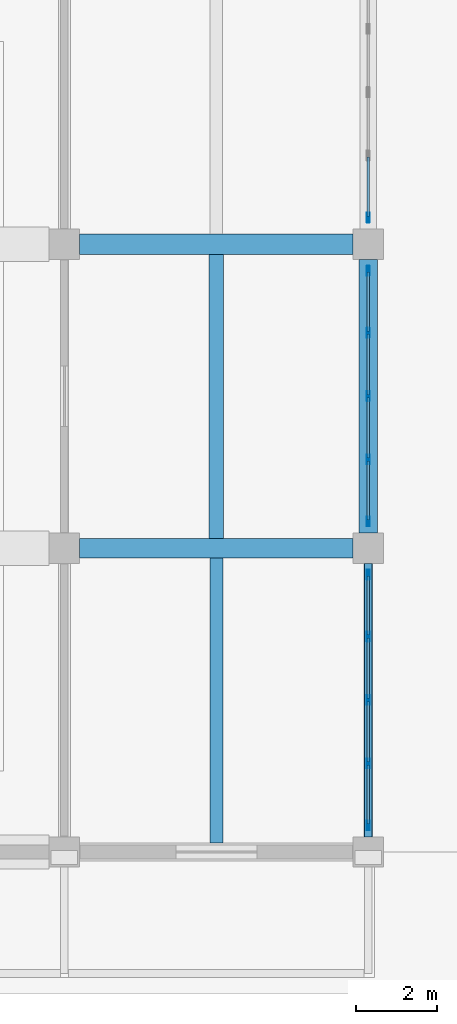
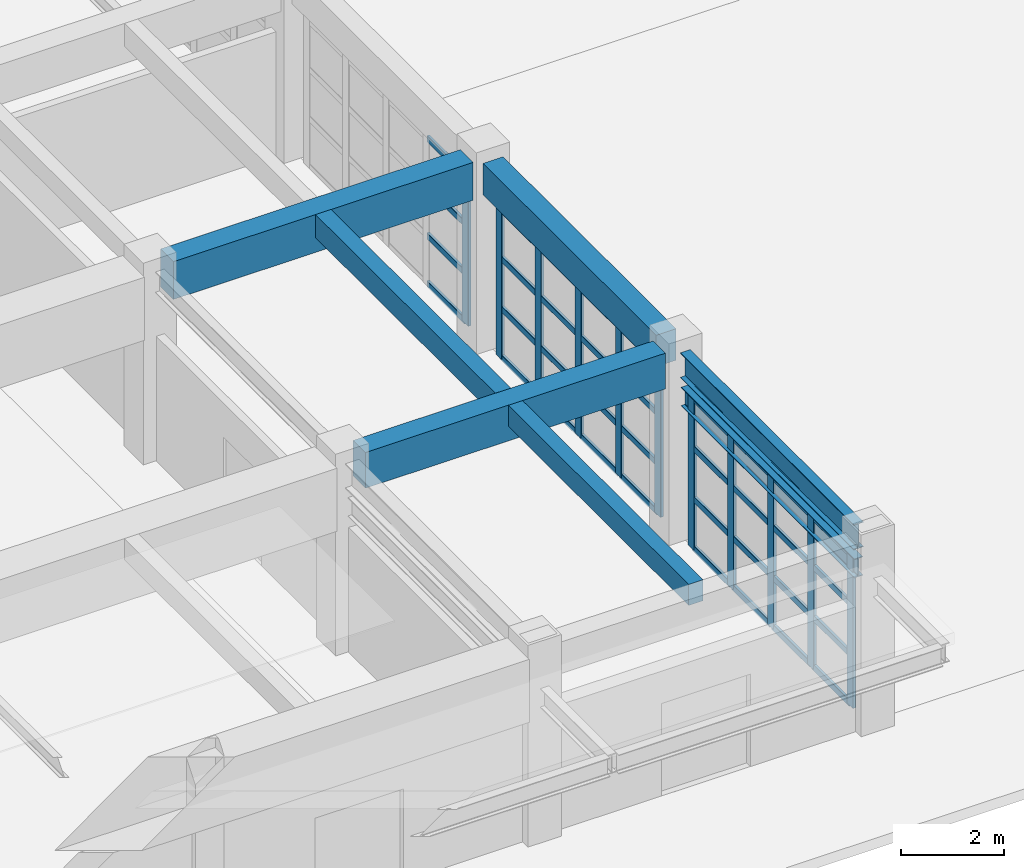
# One storey, part 8 of 122: 47 members, 7 beams, 3 elements without a shape of their own.
"""IFC4 building model written with IfcOpenShell, lengths in metres."""

import ifcopenshell
import ifcopenshell.guid

model = None  # the IFC model being written
_history = None  # IfcOwnerHistory: only IFC2X3 demands one
_inside = {}  # id of a spatial element -> (the spatial element, [elements in it])
_under = {}  # id of a project, library or spatial element -> (it, [spatial elements below it])
_declared = {}  # id of a project -> (the project, [libraries it declares])
_typed = {}  # id of a type object -> (the type object, [elements of that type])
_made_of = {}  # id of a material, layer set ... -> (it, [elements and type objects made of it])


def new_model(schema):
    """Start an empty IFC model of exactly this schema.

    Asked for "IFC4X3", IfcOpenShell would pick the latest addendum, in which some entities
    have other attributes; the version numbers below select the first issue.
    IFC2X3 requires an IfcOwnerHistory on every rooted entity: one is made here for all.
    """
    global model, _history
    if schema == "IFC4X3":
        model = ifcopenshell.file(schema_version=(4, 3, 0, 0))
    else:
        model = ifcopenshell.file(schema=schema)
    _inside.clear()
    _under.clear()
    _declared.clear()
    _typed.clear()
    _made_of.clear()
    _history = None
    if model.schema == "IFC2X3":
        org = make("IfcOrganization", Name="unknown")
        user = make(
            "IfcPersonAndOrganization",
            ThePerson=make("IfcPerson", FamilyName="unknown"),
            TheOrganization=org,
        )
        app = make(
            "IfcApplication",
            ApplicationDeveloper=org,
            Version="unknown",
            ApplicationFullName="unknown",
            ApplicationIdentifier="unknown",
        )
        _history = make(
            "IfcOwnerHistory",
            OwningUser=user,
            OwningApplication=app,
            ChangeAction="ADDED",
            CreationDate=0,
        )
    return model


def make(cls, **values):
    """One entity of the class cls with the attributes given. An attribute that is None is left unset."""
    return model.create_entity(
        cls, **{name: value for name, value in values.items() if value is not None}
    )


def rooted(cls, **values):
    """An entity with a GlobalId (a new one), such as an element, a storey or a relation."""
    return make(cls, GlobalId=ifcopenshell.guid.new(), OwnerHistory=_history, **values)


def si_unit(unit_type, name, prefix=None):
    """IfcSIUnit, for example si_unit("LENGTHUNIT", "METRE", prefix="MILLI")."""
    return make("IfcSIUnit", UnitType=unit_type, Prefix=prefix, Name=name)


def assignment(units):
    """IfcUnitAssignment: the units of a project."""
    return None if units is None else make("IfcUnitAssignment", Units=units)


def point(xyz):
    """IfcCartesianPoint."""
    return None if xyz is None else make("IfcCartesianPoint", Coordinates=xyz)


def direction(xyz):
    """IfcDirection."""
    return None if xyz is None else make("IfcDirection", DirectionRatios=xyz)


def frame(location, z_axis=None, x_axis=None):
    """IfcAxis2Placement3D, a coordinate frame: its origin and axes. An axis left out is left unset."""
    return make(
        "IfcAxis2Placement3D",
        Location=point(location),
        Axis=direction(z_axis),
        RefDirection=direction(x_axis),
    )


def frame_2d(location, x_axis=None):
    """IfcAxis2Placement2D, a coordinate frame in the plane: its origin and x axis."""
    return make(
        "IfcAxis2Placement2D", Location=point(location), RefDirection=direction(x_axis)
    )


def origin():
    """The frame at (0, 0, 0) with its axes left unset."""
    return frame((0.0, 0.0, 0.0))


def origin_2d():
    """The frame at (0, 0) in the plane with its x axis left unset."""
    return frame_2d((0.0, 0.0))


def place(relative_to, where):
    """IfcLocalPlacement: puts the frame where relative to a parent placement (None: the world)."""
    return make(
        "IfcLocalPlacement", PlacementRelTo=relative_to, RelativePlacement=where
    )


def context(
    kind, dimensions, precision=None, world=None, true_north=None, identifier=None
):
    """IfcGeometricRepresentationContext, for example the 3D "Model" context."""
    return make(
        "IfcGeometricRepresentationContext",
        ContextIdentifier=identifier,
        ContextType=kind,
        CoordinateSpaceDimension=dimensions,
        Precision=precision,
        WorldCoordinateSystem=world,
        TrueNorth=true_north,
    )


def subcontext(parent, identifier, kind, view, scale=None):
    """IfcGeometricRepresentationSubContext, for example "Body" below "Model"."""
    return make(
        "IfcGeometricRepresentationSubContext",
        ContextIdentifier=identifier,
        ContextType=kind,
        ParentContext=parent,
        TargetScale=scale,
        TargetView=view,
    )


def project(units=None, contexts=None):
    """IfcProject with its units and contexts."""
    return rooted(
        "IfcProject",
        Name="project",
        RepresentationContexts=contexts,
        UnitsInContext=assignment(units),
    )


def spatial(cls, under=None, at=None, **own):
    """A site, building, storey or space (cls), placed at a placement, below another one or the project."""
    s = rooted(cls, ObjectPlacement=at, **own)
    if under is not None:
        _under.setdefault(under.id(), (under, []))[1].append(s)
    return s


def profile(cls, at=None, kind="AREA", **sizes):
    """A parametric profile (cls). Its sizes go by their IFC names, for example OverallWidth=200.0."""
    return make(cls, ProfileType=kind, Position=at, **sizes)


def rectangle(**sizes):
    """IfcRectangleProfileDef."""
    return profile("IfcRectangleProfileDef", **sizes)


def hollow_rectangle(**sizes):
    """IfcRectangleHollowProfileDef."""
    return profile("IfcRectangleHollowProfileDef", **sizes)


def i_section(**sizes):
    """IfcIShapeProfileDef."""
    return profile("IfcIShapeProfileDef", **sizes)


def extrude(swept, where, along, depth):
    """IfcExtrudedAreaSolid: the profile swept, set in the frame where, extruded along a direction by depth."""
    return make(
        "IfcExtrudedAreaSolid",
        SweptArea=swept,
        Position=where,
        ExtrudedDirection=direction(along),
        Depth=depth,
    )


def shape(context_of_items, identifier, shape_type, items):
    """IfcShapeRepresentation: the items that make up one representation, for example the "Body"."""
    return make(
        "IfcShapeRepresentation",
        ContextOfItems=context_of_items,
        RepresentationIdentifier=identifier,
        RepresentationType=shape_type,
        Items=items,
    )


def material(Name=None, Category=None):
    """IfcMaterial."""
    return make("IfcMaterial", Name=Name, Category=Category)


def material_profile(
    of_material, cross_section, Name=None, Category=None, Priority=None
):
    """IfcMaterialProfile: a cross section and its material."""
    return make(
        "IfcMaterialProfile",
        Name=Name,
        Material=of_material,
        Profile=cross_section,
        Priority=Priority,
        Category=Category,
    )


def profile_set(profiles, Name=None, composite=None):
    """IfcMaterialProfileSet."""
    return make(
        "IfcMaterialProfileSet",
        Name=Name,
        MaterialProfiles=profiles,
        CompositeProfile=composite,
    )


def made_of(thing, what):
    """Note that an element or type object is made of a material, layer set ...; save() writes the relation."""
    if what is not None:
        _made_of.setdefault(what.id(), (what, []))[1].append(thing)
    return thing


def type_object(cls, material=None, **own):
    """A type object (cls), such as IfcWallType, which elements share."""
    return made_of(rooted(cls, **own), material)


def element(
    cls,
    number,
    at=None,
    inside=None,
    cuts=None,
    type_object=None,
    material=None,
    context=None,
    identifier="Body",
    shape_type=None,
    held_by="IfcProductDefinitionShape",
    body=None,
    shapes=None,
    **own,
):
    """One element of the class cls, such as IfcWall. Its Tag is "e" and its number.

    at: its placement. inside: the storey or other place that contains it. cuts: it is an
    opening in that element (IfcRelVoidsElement). A single representation is given by context,
    identifier, shape_type and body (its items); several are given by shapes. held_by: the class
    of the entity that holds the representations. save() writes the other relations.
    """
    e = rooted(cls, Tag="e%d" % number, ObjectPlacement=at, **own)
    if body is not None:
        shapes = [shape(context, identifier, shape_type, body)]
    if shapes is not None:
        e.Representation = make(held_by, Representations=shapes)
    if inside is not None:
        _inside.setdefault(inside.id(), (inside, []))[1].append(e)
    if cuts is not None:
        rooted(
            "IfcRelVoidsElement", RelatingBuildingElement=cuts, RelatedOpeningElement=e
        )
    if type_object is not None:
        _typed.setdefault(type_object.id(), (type_object, []))[1].append(e)
    return made_of(e, material)


def aggregate(whole, parts):
    """IfcRelAggregates: a whole, such as a stair, and the parts it consists of."""
    return rooted("IfcRelAggregates", RelatingObject=whole, RelatedObjects=parts)


def save(model, path):
    """Write the relations noted so far, then the file.

    IfcRelAggregates (storeys below a building ...), IfcRelContainedInSpatialStructure (elements
    in a storey), IfcRelDefinesByType, IfcRelAssociatesMaterial and IfcRelDeclares: one each for
    every whole, place, type object, material and project.
    """
    for whole, parts in _under.values():
        aggregate(whole, parts)
    for where, things in _inside.values():
        rooted(
            "IfcRelContainedInSpatialStructure",
            RelatedElements=things,
            RelatingStructure=where,
        )
    for kind, things in _typed.values():
        rooted("IfcRelDefinesByType", RelatedObjects=things, RelatingType=kind)
    for what, things in _made_of.values():
        rooted("IfcRelAssociatesMaterial", RelatedObjects=things, RelatingMaterial=what)
    for by, libraries in _declared.values():
        rooted("IfcRelDeclares", RelatingContext=by, RelatedDefinitions=libraries)
    model.write(path)


model = new_model("IFC4")

# Units and contexts
model_context = context("Model", 3, precision=1e-05, world=origin(), true_north=direction((0.0, 1.0)))
body_context = subcontext(model_context, "Body", "Model", "MODEL_VIEW")
ifc_project = project(units=[si_unit("LENGTHUNIT", "METRE"), si_unit("AREAUNIT", "SQUARE_METRE"), si_unit("VOLUMEUNIT", "CUBIC_METRE"), si_unit("PLANEANGLEUNIT", "RADIAN"), si_unit("MASSUNIT", "GRAM", prefix="KILO")], contexts=[model_context])

# Site, building, storey
site_placement = place(None, origin())
site = spatial("IfcSite", under=ifc_project, at=site_placement, CompositionType="ELEMENT")
building_placement = place(site_placement, origin())
building = spatial("IfcBuilding", under=site, at=building_placement, Name="Qasida Concert Hall", CompositionType="ELEMENT")
storey_placement = place(building_placement, origin())
storey = spatial("IfcBuildingStorey", under=building, at=storey_placement, Name="L00", CompositionType="ELEMENT", Elevation=0.0)

# Beams
ifc_material_1 = material(Name="Steel S355J2", Category="steel")
ifc_material_profile_1 = material_profile(ifc_material_1, i_section(OverallWidth=0.18994140625, OverallDepth=0.449951171875, WebThickness=0.009521484375, FlangeThickness=0.0146484375, FilletRadius=0.02099609375, at=origin_2d()), Name="IPE 450")
ifc_profile_set_1 = profile_set([ifc_material_profile_1], Name="Steel S355J2")
beam_type_1 = type_object("IfcBeamType", Name="BM-B5", PredefinedType="BEAM", material=ifc_profile_set_1)
beam_1_placement = place(storey_placement, frame((37.5, 0.375, 3.449951171875), z_axis=(0.0, 1.0, 0.0), x_axis=(-1.0, 0.0, 0.0)))
element("IfcBeam", 1, at=beam_1_placement, inside=storey, type_object=beam_type_1, Name="Grand foyer marquee backspan beam MRQB-V3-375", PredefinedType="BEAM", context=body_context, shape_type="SweptSolid", body=[
    extrude(i_section(OverallWidth=0.18994140625, OverallDepth=0.449951171875, WebThickness=0.009521484375, FlangeThickness=0.0146484375, FilletRadius=0.02099609375, at=origin_2d()), origin(), (0.0, 0.0, 1.0), 6.75),
])
ifc_material_2 = material(Name="Concrete C40/50", Category="concrete")
ifc_material_profile_2 = material_profile(ifc_material_2, rectangle(XDim=0.5, YDim=0.89990234375, at=origin_2d()), Name="RC 500x900")
ifc_profile_set_2 = profile_set([ifc_material_profile_2], Name="Concrete C40/50")
beam_type_2 = type_object("IfcBeamType", Name="BM-G1", PredefinedType="USERDEFINED", material=ifc_profile_set_2)
beam_2_placement = place(storey_placement, frame((30.375, 15.0, 4.050048828125), z_axis=(1.0, 0.0, 0.0), x_axis=(0.0, 1.0, 0.0)))
element("IfcBeam", 2, at=beam_2_placement, inside=storey, type_object=beam_type_2, Name="Primary girder 0516", ObjectType="GIRDER", PredefinedType="USERDEFINED", context=body_context, shape_type="SweptSolid", body=[
    extrude(rectangle(XDim=0.5, YDim=0.89990234375, at=origin_2d()), origin(), (0.0, 0.0, 1.0), 6.75),
])
ifc_material_profile_3 = material_profile(ifc_material_2, rectangle(XDim=0.47998046875, YDim=0.85009765625, at=origin_2d()), Name="RC 480x850")
ifc_profile_set_3 = profile_set([ifc_material_profile_3], Name="Concrete C40/50")
beam_type_3 = type_object("IfcBeamType", Name="BM-G6", PredefinedType="USERDEFINED", material=ifc_profile_set_3)
beam_3_placement = place(storey_placement, frame((30.375, 7.5, 4.074951171875), z_axis=(1.0, 0.0, 0.0), x_axis=(0.0, 1.0, 0.0)))
element("IfcBeam", 3, at=beam_3_placement, inside=storey, type_object=beam_type_3, Name="Primary girder 0513", ObjectType="GIRDER", PredefinedType="USERDEFINED", context=body_context, shape_type="SweptSolid", body=[
    extrude(rectangle(XDim=0.47998046875, YDim=0.85009765625, at=origin_2d()), origin(), (0.0, 0.0, 1.0), 6.75),
])
ifc_material_profile_4 = material_profile(ifc_material_2, rectangle(XDim=0.320068359375, YDim=0.5, at=origin_2d()), Name="RC 320x500")
ifc_profile_set_4 = profile_set([ifc_material_profile_4], Name="Concrete C40/50")
beam_type_4 = type_object("IfcBeamType", Name="BM-J7", PredefinedType="JOIST", material=ifc_profile_set_4)
beam_4_placement = place(storey_placement, frame((33.75, 0.22509765625, 4.25), z_axis=(0.0, 1.0, 0.0), x_axis=(-1.0, 0.0, 0.0)))
element("IfcBeam", 4, at=beam_4_placement, inside=storey, type_object=beam_type_4, Name="L00 secondary joist 0582", PredefinedType="JOIST", context=body_context, shape_type="SweptSolid", body=[
    extrude(rectangle(XDim=0.320068359375, YDim=0.5, at=origin_2d()), origin(), (0.0, 0.0, 1.0), 7.034912109375),
])
ifc_material_profile_5 = material_profile(ifc_material_2, rectangle(XDim=0.35009765625, YDim=0.550048828125, at=origin_2d()), Name="RC 350x550")
ifc_profile_set_5 = profile_set([ifc_material_profile_5], Name="Concrete C40/50")
beam_type_5 = type_object("IfcBeamType", Name="BM-J8", PredefinedType="JOIST", material=ifc_profile_set_5)
beam_5_placement = place(storey_placement, frame((33.75, 7.739990234375, 4.22509765625), z_axis=(0.0, 1.0, 0.0), x_axis=(-1.0, 0.0, 0.0)))
element("IfcBeam", 5, at=beam_5_placement, inside=storey, type_object=beam_type_5, Name="L00 secondary joist 0583", PredefinedType="JOIST", context=body_context, shape_type="SweptSolid", body=[
    extrude(rectangle(XDim=0.35009765625, YDim=0.550048828125, at=origin_2d()), origin(), (0.0, 0.0, 1.0), 7.010009765625),
])
ifc_material_profile_6 = material_profile(ifc_material_1, i_section(OverallWidth=0.219970703125, OverallDepth=0.60009765625, WebThickness=0.011962890625, FlangeThickness=0.01904296875, FilletRadius=0.02392578125, at=origin_2d()), Name="IPE 600")
ifc_profile_set_6 = profile_set([ifc_material_profile_6], Name="Steel S355J2")
beam_type_6 = type_object("IfcBeamType", Name="BM-SP3", PredefinedType="SPANDREL", material=ifc_profile_set_6)
beam_6_placement = place(storey_placement, frame((37.5, 0.375, 4.199951171875), z_axis=(0.0, 1.0, 0.0), x_axis=(-1.0, 0.0, 0.0)))
element("IfcBeam", 6, at=beam_6_placement, inside=storey, type_object=beam_type_6, Name="L00 girder 0553", PredefinedType="SPANDREL", context=body_context, shape_type="SweptSolid", body=[
    extrude(i_section(OverallWidth=0.219970703125, OverallDepth=0.60009765625, WebThickness=0.011962890625, FlangeThickness=0.01904296875, FilletRadius=0.02392578125, at=origin_2d()), origin(), (0.0, 0.0, 1.0), 6.75),
])
ifc_material_profile_7 = material_profile(ifc_material_2, rectangle(XDim=0.449951171875, YDim=0.75, at=origin_2d()), Name="RC 450x750")
ifc_profile_set_7 = profile_set([ifc_material_profile_7], Name="Concrete C40/50")
beam_type_7 = type_object("IfcBeamType", Name="BM-SP4", PredefinedType="SPANDREL", material=ifc_profile_set_7)
beam_7_placement = place(storey_placement, frame((37.5, 7.875, 4.125), z_axis=(0.0, 1.0, 0.0), x_axis=(-1.0, 0.0, 0.0)))
element("IfcBeam", 7, at=beam_7_placement, inside=storey, type_object=beam_type_7, Name="L00 girder 0554", PredefinedType="SPANDREL", context=body_context, shape_type="SweptSolid", body=[
    extrude(rectangle(XDim=0.449951171875, YDim=0.75, at=origin_2d()), origin(), (0.0, 0.0, 1.0), 6.75),
])

# Curtain wall, members
ifc_material_3 = material(Name="Architectural bronze-anodized aluminium and low-E glass", Category="aluminium")
curtain_wall_type = type_object("IfcCurtainWallType", Name="CW-06", PredefinedType="NOTDEFINED", material=ifc_material_3)
curtain_wall_1_placement = place(storey_placement, origin())
curtain_wall_1 = element("IfcCurtainWall", 8, at=curtain_wall_1_placement, inside=storey, type_object=curtain_wall_type, Name="L00 curtain wall CW-06 0073", PredefinedType="NOTDEFINED")
ifc_material_4 = material(Name="Architectural bronze-anodized aluminium EN AW-6063", Category="aluminium")
ifc_material_profile_8 = material_profile(ifc_material_4, hollow_rectangle(XDim=0.070068359375, YDim=0.239990234375, WallThickness=0.0048828125, InnerFilletRadius=0.0048828125, OuterFilletRadius=0.010009765625, at=origin_2d()), Name="CWM 240x70x5")
ifc_profile_set_8 = profile_set([ifc_material_profile_8], Name="Architectural bronze-anodized aluminium EN AW-6063")
member_type_1 = type_object("IfcMemberType", Name="MB-CWM-1", PredefinedType="MULLION", material=ifc_profile_set_8)
member_1_placement = place(storey_placement, frame((37.5, 0.655029296875, 0.0), z_axis=(0.0, 0.0, 1.0), x_axis=(-1.0, 0.0, 0.0)))
member_1 = element("IfcMember", 9, at=member_1_placement, type_object=member_type_1, Name="CW-06 mullion 1", PredefinedType="MULLION", context=body_context, shape_type="SweptSolid", body=[
    extrude(hollow_rectangle(XDim=0.070068359375, YDim=0.239990234375, WallThickness=0.0048828125, InnerFilletRadius=0.0048828125, OuterFilletRadius=0.010009765625, at=origin_2d()), origin(), (0.0, 0.0, 1.0), 3.6201171875),
])
member_2_placement = place(storey_placement, frame((37.5, 2.18505859375, 0.0), z_axis=(0.0, 0.0, 1.0), x_axis=(-1.0, 0.0, 0.0)))
member_2 = element("IfcMember", 10, at=member_2_placement, type_object=member_type_1, Name="CW-06 mullion 2", PredefinedType="MULLION", context=body_context, shape_type="SweptSolid", body=[
    extrude(hollow_rectangle(XDim=0.070068359375, YDim=0.239990234375, WallThickness=0.0048828125, InnerFilletRadius=0.0048828125, OuterFilletRadius=0.010009765625, at=origin_2d()), origin(), (0.0, 0.0, 1.0), 3.6201171875),
])
member_3_placement = place(storey_placement, frame((37.5, 3.75, 0.0), z_axis=(0.0, 0.0, 1.0), x_axis=(-1.0, 0.0, 0.0)))
member_3 = element("IfcMember", 11, at=member_3_placement, type_object=member_type_1, Name="CW-06 mullion 3", PredefinedType="MULLION", context=body_context, shape_type="SweptSolid", body=[
    extrude(hollow_rectangle(XDim=0.070068359375, YDim=0.239990234375, WallThickness=0.0048828125, InnerFilletRadius=0.0048828125, OuterFilletRadius=0.010009765625, at=origin_2d()), origin(), (0.0, 0.0, 1.0), 3.6201171875),
])
member_4_placement = place(storey_placement, frame((37.5, 5.31494140625, 0.0), z_axis=(0.0, 0.0, 1.0), x_axis=(-1.0, 0.0, 0.0)))
member_4 = element("IfcMember", 12, at=member_4_placement, type_object=member_type_1, Name="CW-06 mullion 4", PredefinedType="MULLION", context=body_context, shape_type="SweptSolid", body=[
    extrude(hollow_rectangle(XDim=0.070068359375, YDim=0.239990234375, WallThickness=0.0048828125, InnerFilletRadius=0.0048828125, OuterFilletRadius=0.010009765625, at=origin_2d()), origin(), (0.0, 0.0, 1.0), 3.6201171875),
])
member_5_placement = place(storey_placement, frame((37.5, 6.844970703125, 0.0), z_axis=(0.0, 0.0, 1.0), x_axis=(-1.0, 0.0, 0.0)))
member_5 = element("IfcMember", 13, at=member_5_placement, type_object=member_type_1, Name="CW-06 mullion 5", PredefinedType="MULLION", context=body_context, shape_type="SweptSolid", body=[
    extrude(hollow_rectangle(XDim=0.070068359375, YDim=0.239990234375, WallThickness=0.0048828125, InnerFilletRadius=0.0048828125, OuterFilletRadius=0.010009765625, at=origin_2d()), origin(), (0.0, 0.0, 1.0), 3.6201171875),
])

curtain_wall_2_placement = place(storey_placement, origin())
curtain_wall_2 = element("IfcCurtainWall", 14, at=curtain_wall_2_placement, inside=storey, type_object=curtain_wall_type, Name="L00 curtain wall CW-06 0075", PredefinedType="NOTDEFINED")
member_6_placement = place(storey_placement, frame((37.5, 8.155029296875, 0.0), z_axis=(0.0, 0.0, 1.0), x_axis=(-1.0, 0.0, 0.0)))
member_6 = element("IfcMember", 15, at=member_6_placement, type_object=member_type_1, Name="CW-06 mullion 1", PredefinedType="MULLION", context=body_context, shape_type="SweptSolid", body=[
    extrude(hollow_rectangle(XDim=0.070068359375, YDim=0.239990234375, WallThickness=0.0048828125, InnerFilletRadius=0.0048828125, OuterFilletRadius=0.010009765625, at=origin_2d()), origin(), (0.0, 0.0, 1.0), 3.570068359375),
])
member_7_placement = place(storey_placement, frame((37.5, 9.68505859375, 0.0), z_axis=(0.0, 0.0, 1.0), x_axis=(-1.0, 0.0, 0.0)))
member_7 = element("IfcMember", 16, at=member_7_placement, type_object=member_type_1, Name="CW-06 mullion 2", PredefinedType="MULLION", context=body_context, shape_type="SweptSolid", body=[
    extrude(hollow_rectangle(XDim=0.070068359375, YDim=0.239990234375, WallThickness=0.0048828125, InnerFilletRadius=0.0048828125, OuterFilletRadius=0.010009765625, at=origin_2d()), origin(), (0.0, 0.0, 1.0), 3.570068359375),
])
member_8_placement = place(storey_placement, frame((37.5, 11.25, 0.0), z_axis=(0.0, 0.0, 1.0), x_axis=(-1.0, 0.0, 0.0)))
member_8 = element("IfcMember", 17, at=member_8_placement, type_object=member_type_1, Name="CW-06 mullion 3", PredefinedType="MULLION", context=body_context, shape_type="SweptSolid", body=[
    extrude(hollow_rectangle(XDim=0.070068359375, YDim=0.239990234375, WallThickness=0.0048828125, InnerFilletRadius=0.0048828125, OuterFilletRadius=0.010009765625, at=origin_2d()), origin(), (0.0, 0.0, 1.0), 3.570068359375),
])
member_9_placement = place(storey_placement, frame((37.5, 12.81494140625, 0.0), z_axis=(0.0, 0.0, 1.0), x_axis=(-1.0, 0.0, 0.0)))
member_9 = element("IfcMember", 18, at=member_9_placement, type_object=member_type_1, Name="CW-06 mullion 4", PredefinedType="MULLION", context=body_context, shape_type="SweptSolid", body=[
    extrude(hollow_rectangle(XDim=0.070068359375, YDim=0.239990234375, WallThickness=0.0048828125, InnerFilletRadius=0.0048828125, OuterFilletRadius=0.010009765625, at=origin_2d()), origin(), (0.0, 0.0, 1.0), 3.570068359375),
])
member_10_placement = place(storey_placement, frame((37.5, 14.344970703125, 0.0), z_axis=(0.0, 0.0, 1.0), x_axis=(-1.0, 0.0, 0.0)))
member_10 = element("IfcMember", 19, at=member_10_placement, type_object=member_type_1, Name="CW-06 mullion 5", PredefinedType="MULLION", context=body_context, shape_type="SweptSolid", body=[
    extrude(hollow_rectangle(XDim=0.070068359375, YDim=0.239990234375, WallThickness=0.0048828125, InnerFilletRadius=0.0048828125, OuterFilletRadius=0.010009765625, at=origin_2d()), origin(), (0.0, 0.0, 1.0), 3.570068359375),
])

# Curtain wall, member
curtain_wall_3_placement = place(storey_placement, origin())
curtain_wall_3 = element("IfcCurtainWall", 20, at=curtain_wall_3_placement, inside=storey, type_object=curtain_wall_type, Name="L00 curtain wall CW-06 0076", PredefinedType="NOTDEFINED")
member_11_placement = place(storey_placement, frame((37.5, 15.655029296875, 0.0), z_axis=(0.0, 0.0, 1.0), x_axis=(-1.0, 0.0, 0.0)))
member_11 = element("IfcMember", 21, at=member_11_placement, type_object=member_type_1, Name="CW-06 mullion 1", PredefinedType="MULLION", context=body_context, shape_type="SweptSolid", body=[
    extrude(hollow_rectangle(XDim=0.070068359375, YDim=0.239990234375, WallThickness=0.0048828125, InnerFilletRadius=0.0048828125, OuterFilletRadius=0.010009765625, at=origin_2d()), origin(), (0.0, 0.0, 1.0), 3.52001953125),
])

# Member
ifc_material_profile_9 = material_profile(ifc_material_4, hollow_rectangle(XDim=0.06494140625, YDim=0.14990234375, WallThickness=0.00390625, InnerFilletRadius=0.00390625, OuterFilletRadius=0.008056640625, at=origin_2d()), Name="CWT 150x65x4")
ifc_profile_set_9 = profile_set([ifc_material_profile_9], Name="Architectural bronze-anodized aluminium EN AW-6063")
member_type_2 = type_object("IfcMemberType", Name="MB-CWT-1", PredefinedType="USERDEFINED", material=ifc_profile_set_9)
member_12_placement = place(storey_placement, frame((37.5, 0.68994140625, 0.032470703125), z_axis=(0.0, 1.0, 0.0), x_axis=(-1.0, 0.0, 0.0)))
member_12 = element("IfcMember", 22, at=member_12_placement, type_object=member_type_2, Name="CW-06 transom 1.1", ObjectType="TRANSOM", PredefinedType="USERDEFINED", context=body_context, shape_type="SweptSolid", body=[
    extrude(hollow_rectangle(XDim=0.06494140625, YDim=0.14990234375, WallThickness=0.00390625, InnerFilletRadius=0.00390625, OuterFilletRadius=0.008056640625, at=origin_2d()), origin(), (0.0, 0.0, 1.0), 1.4599609375),
])

member_13_placement = place(storey_placement, frame((37.5, 0.68994140625, 1.206787109375), z_axis=(0.0, 1.0, 0.0), x_axis=(-1.0, 0.0, 0.0)))
member_13 = element("IfcMember", 23, at=member_13_placement, type_object=member_type_2, Name="CW-06 transom 1.2", ObjectType="TRANSOM", PredefinedType="USERDEFINED", context=body_context, shape_type="SweptSolid", body=[
    extrude(hollow_rectangle(XDim=0.06494140625, YDim=0.14990234375, WallThickness=0.00390625, InnerFilletRadius=0.00390625, OuterFilletRadius=0.008056640625, at=origin_2d()), origin(), (0.0, 0.0, 1.0), 1.4599609375),
])

member_14_placement = place(storey_placement, frame((37.5, 0.68994140625, 2.413330078125), z_axis=(0.0, 1.0, 0.0), x_axis=(-1.0, 0.0, 0.0)))
member_14 = element("IfcMember", 24, at=member_14_placement, type_object=member_type_2, Name="CW-06 transom 1.3", ObjectType="TRANSOM", PredefinedType="USERDEFINED", context=body_context, shape_type="SweptSolid", body=[
    extrude(hollow_rectangle(XDim=0.06494140625, YDim=0.14990234375, WallThickness=0.00390625, InnerFilletRadius=0.00390625, OuterFilletRadius=0.008056640625, at=origin_2d()), origin(), (0.0, 0.0, 1.0), 1.4599609375),
])

member_15_placement = place(storey_placement, frame((37.5, 0.68994140625, 3.58740234375), z_axis=(0.0, 1.0, 0.0), x_axis=(-1.0, 0.0, 0.0)))
member_15 = element("IfcMember", 25, at=member_15_placement, type_object=member_type_2, Name="CW-06 transom 1.4", ObjectType="TRANSOM", PredefinedType="USERDEFINED", context=body_context, shape_type="SweptSolid", body=[
    extrude(hollow_rectangle(XDim=0.06494140625, YDim=0.14990234375, WallThickness=0.00390625, InnerFilletRadius=0.00390625, OuterFilletRadius=0.008056640625, at=origin_2d()), origin(), (0.0, 0.0, 1.0), 1.4599609375),
])

member_16_placement = place(storey_placement, frame((37.5, 2.219970703125, 0.032470703125), z_axis=(0.0, 1.0, 0.0), x_axis=(-1.0, 0.0, 0.0)))
member_16 = element("IfcMember", 26, at=member_16_placement, type_object=member_type_2, Name="CW-06 transom 2.1", ObjectType="TRANSOM", PredefinedType="USERDEFINED", context=body_context, shape_type="SweptSolid", body=[
    extrude(hollow_rectangle(XDim=0.06494140625, YDim=0.14990234375, WallThickness=0.00390625, InnerFilletRadius=0.00390625, OuterFilletRadius=0.008056640625, at=origin_2d()), origin(), (0.0, 0.0, 1.0), 1.4951171875),
])

member_17_placement = place(storey_placement, frame((37.5, 2.219970703125, 1.206787109375), z_axis=(0.0, 1.0, 0.0), x_axis=(-1.0, 0.0, 0.0)))
member_17 = element("IfcMember", 27, at=member_17_placement, type_object=member_type_2, Name="CW-06 transom 2.2", ObjectType="TRANSOM", PredefinedType="USERDEFINED", context=body_context, shape_type="SweptSolid", body=[
    extrude(hollow_rectangle(XDim=0.06494140625, YDim=0.14990234375, WallThickness=0.00390625, InnerFilletRadius=0.00390625, OuterFilletRadius=0.008056640625, at=origin_2d()), origin(), (0.0, 0.0, 1.0), 1.4951171875),
])

member_18_placement = place(storey_placement, frame((37.5, 2.219970703125, 2.413330078125), z_axis=(0.0, 1.0, 0.0), x_axis=(-1.0, 0.0, 0.0)))
member_18 = element("IfcMember", 28, at=member_18_placement, type_object=member_type_2, Name="CW-06 transom 2.3", ObjectType="TRANSOM", PredefinedType="USERDEFINED", context=body_context, shape_type="SweptSolid", body=[
    extrude(hollow_rectangle(XDim=0.06494140625, YDim=0.14990234375, WallThickness=0.00390625, InnerFilletRadius=0.00390625, OuterFilletRadius=0.008056640625, at=origin_2d()), origin(), (0.0, 0.0, 1.0), 1.4951171875),
])

member_19_placement = place(storey_placement, frame((37.5, 2.219970703125, 3.58740234375), z_axis=(0.0, 1.0, 0.0), x_axis=(-1.0, 0.0, 0.0)))
member_19 = element("IfcMember", 29, at=member_19_placement, type_object=member_type_2, Name="CW-06 transom 2.4", ObjectType="TRANSOM", PredefinedType="USERDEFINED", context=body_context, shape_type="SweptSolid", body=[
    extrude(hollow_rectangle(XDim=0.06494140625, YDim=0.14990234375, WallThickness=0.00390625, InnerFilletRadius=0.00390625, OuterFilletRadius=0.008056640625, at=origin_2d()), origin(), (0.0, 0.0, 1.0), 1.4951171875),
])

member_20_placement = place(storey_placement, frame((37.5, 3.784912109375, 0.032470703125), z_axis=(0.0, 1.0, 0.0), x_axis=(-1.0, 0.0, 0.0)))
member_20 = element("IfcMember", 30, at=member_20_placement, type_object=member_type_2, Name="CW-06 transom 3.1", ObjectType="TRANSOM", PredefinedType="USERDEFINED", context=body_context, shape_type="SweptSolid", body=[
    extrude(hollow_rectangle(XDim=0.06494140625, YDim=0.14990234375, WallThickness=0.00390625, InnerFilletRadius=0.00390625, OuterFilletRadius=0.008056640625, at=origin_2d()), origin(), (0.0, 0.0, 1.0), 1.4951171875),
])

member_21_placement = place(storey_placement, frame((37.5, 3.784912109375, 1.206787109375), z_axis=(0.0, 1.0, 0.0), x_axis=(-1.0, 0.0, 0.0)))
member_21 = element("IfcMember", 31, at=member_21_placement, type_object=member_type_2, Name="CW-06 transom 3.2", ObjectType="TRANSOM", PredefinedType="USERDEFINED", context=body_context, shape_type="SweptSolid", body=[
    extrude(hollow_rectangle(XDim=0.06494140625, YDim=0.14990234375, WallThickness=0.00390625, InnerFilletRadius=0.00390625, OuterFilletRadius=0.008056640625, at=origin_2d()), origin(), (0.0, 0.0, 1.0), 1.4951171875),
])

member_22_placement = place(storey_placement, frame((37.5, 3.784912109375, 2.413330078125), z_axis=(0.0, 1.0, 0.0), x_axis=(-1.0, 0.0, 0.0)))
member_22 = element("IfcMember", 32, at=member_22_placement, type_object=member_type_2, Name="CW-06 transom 3.3", ObjectType="TRANSOM", PredefinedType="USERDEFINED", context=body_context, shape_type="SweptSolid", body=[
    extrude(hollow_rectangle(XDim=0.06494140625, YDim=0.14990234375, WallThickness=0.00390625, InnerFilletRadius=0.00390625, OuterFilletRadius=0.008056640625, at=origin_2d()), origin(), (0.0, 0.0, 1.0), 1.4951171875),
])

member_23_placement = place(storey_placement, frame((37.5, 3.784912109375, 3.58740234375), z_axis=(0.0, 1.0, 0.0), x_axis=(-1.0, 0.0, 0.0)))
member_23 = element("IfcMember", 33, at=member_23_placement, type_object=member_type_2, Name="CW-06 transom 3.4", ObjectType="TRANSOM", PredefinedType="USERDEFINED", context=body_context, shape_type="SweptSolid", body=[
    extrude(hollow_rectangle(XDim=0.06494140625, YDim=0.14990234375, WallThickness=0.00390625, InnerFilletRadius=0.00390625, OuterFilletRadius=0.008056640625, at=origin_2d()), origin(), (0.0, 0.0, 1.0), 1.4951171875),
])

member_24_placement = place(storey_placement, frame((37.5, 5.35009765625, 0.032470703125), z_axis=(0.0, 1.0, 0.0), x_axis=(-1.0, 0.0, 0.0)))
member_24 = element("IfcMember", 34, at=member_24_placement, type_object=member_type_2, Name="CW-06 transom 4.1", ObjectType="TRANSOM", PredefinedType="USERDEFINED", context=body_context, shape_type="SweptSolid", body=[
    extrude(hollow_rectangle(XDim=0.06494140625, YDim=0.14990234375, WallThickness=0.00390625, InnerFilletRadius=0.00390625, OuterFilletRadius=0.008056640625, at=origin_2d()), origin(), (0.0, 0.0, 1.0), 1.4599609375),
])

member_25_placement = place(storey_placement, frame((37.5, 5.35009765625, 1.206787109375), z_axis=(0.0, 1.0, 0.0), x_axis=(-1.0, 0.0, 0.0)))
member_25 = element("IfcMember", 35, at=member_25_placement, type_object=member_type_2, Name="CW-06 transom 4.2", ObjectType="TRANSOM", PredefinedType="USERDEFINED", context=body_context, shape_type="SweptSolid", body=[
    extrude(hollow_rectangle(XDim=0.06494140625, YDim=0.14990234375, WallThickness=0.00390625, InnerFilletRadius=0.00390625, OuterFilletRadius=0.008056640625, at=origin_2d()), origin(), (0.0, 0.0, 1.0), 1.4599609375),
])

member_26_placement = place(storey_placement, frame((37.5, 5.35009765625, 2.413330078125), z_axis=(0.0, 1.0, 0.0), x_axis=(-1.0, 0.0, 0.0)))
member_26 = element("IfcMember", 36, at=member_26_placement, type_object=member_type_2, Name="CW-06 transom 4.3", ObjectType="TRANSOM", PredefinedType="USERDEFINED", context=body_context, shape_type="SweptSolid", body=[
    extrude(hollow_rectangle(XDim=0.06494140625, YDim=0.14990234375, WallThickness=0.00390625, InnerFilletRadius=0.00390625, OuterFilletRadius=0.008056640625, at=origin_2d()), origin(), (0.0, 0.0, 1.0), 1.4599609375),
])

member_27_placement = place(storey_placement, frame((37.5, 5.35009765625, 3.58740234375), z_axis=(0.0, 1.0, 0.0), x_axis=(-1.0, 0.0, 0.0)))
member_27 = element("IfcMember", 37, at=member_27_placement, type_object=member_type_2, Name="CW-06 transom 4.4", ObjectType="TRANSOM", PredefinedType="USERDEFINED", context=body_context, shape_type="SweptSolid", body=[
    extrude(hollow_rectangle(XDim=0.06494140625, YDim=0.14990234375, WallThickness=0.00390625, InnerFilletRadius=0.00390625, OuterFilletRadius=0.008056640625, at=origin_2d()), origin(), (0.0, 0.0, 1.0), 1.4599609375),
])

aggregate(curtain_wall_1, [member_1, member_2, member_3, member_4, member_5, member_12, member_13, member_14, member_15, member_16, member_17, member_18, member_19, member_20, member_21, member_22, member_23, member_24, member_25, member_26, member_27])

member_28_placement = place(storey_placement, frame((37.5, 8.18994140625, 0.032470703125), z_axis=(0.0, 1.0, 0.0), x_axis=(-1.0, 0.0, 0.0)))
member_28 = element("IfcMember", 38, at=member_28_placement, type_object=member_type_2, Name="CW-06 transom 1.1", ObjectType="TRANSOM", PredefinedType="USERDEFINED", context=body_context, shape_type="SweptSolid", body=[
    extrude(hollow_rectangle(XDim=0.06494140625, YDim=0.14990234375, WallThickness=0.00390625, InnerFilletRadius=0.00390625, OuterFilletRadius=0.008056640625, at=origin_2d()), origin(), (0.0, 0.0, 1.0), 1.4599609375),
])

member_29_placement = place(storey_placement, frame((37.5, 8.18994140625, 1.18994140625), z_axis=(0.0, 1.0, 0.0), x_axis=(-1.0, 0.0, 0.0)))
member_29 = element("IfcMember", 39, at=member_29_placement, type_object=member_type_2, Name="CW-06 transom 1.2", ObjectType="TRANSOM", PredefinedType="USERDEFINED", context=body_context, shape_type="SweptSolid", body=[
    extrude(hollow_rectangle(XDim=0.06494140625, YDim=0.14990234375, WallThickness=0.00390625, InnerFilletRadius=0.00390625, OuterFilletRadius=0.008056640625, at=origin_2d()), origin(), (0.0, 0.0, 1.0), 1.4599609375),
])

member_30_placement = place(storey_placement, frame((37.5, 8.18994140625, 2.3798828125), z_axis=(0.0, 1.0, 0.0), x_axis=(-1.0, 0.0, 0.0)))
member_30 = element("IfcMember", 40, at=member_30_placement, type_object=member_type_2, Name="CW-06 transom 1.3", ObjectType="TRANSOM", PredefinedType="USERDEFINED", context=body_context, shape_type="SweptSolid", body=[
    extrude(hollow_rectangle(XDim=0.06494140625, YDim=0.14990234375, WallThickness=0.00390625, InnerFilletRadius=0.00390625, OuterFilletRadius=0.008056640625, at=origin_2d()), origin(), (0.0, 0.0, 1.0), 1.4599609375),
])

member_31_placement = place(storey_placement, frame((37.5, 8.18994140625, 3.53759765625), z_axis=(0.0, 1.0, 0.0), x_axis=(-1.0, 0.0, 0.0)))
member_31 = element("IfcMember", 41, at=member_31_placement, type_object=member_type_2, Name="CW-06 transom 1.4", ObjectType="TRANSOM", PredefinedType="USERDEFINED", context=body_context, shape_type="SweptSolid", body=[
    extrude(hollow_rectangle(XDim=0.06494140625, YDim=0.14990234375, WallThickness=0.00390625, InnerFilletRadius=0.00390625, OuterFilletRadius=0.008056640625, at=origin_2d()), origin(), (0.0, 0.0, 1.0), 1.4599609375),
])

member_32_placement = place(storey_placement, frame((37.5, 9.719970703125, 0.032470703125), z_axis=(0.0, 1.0, 0.0), x_axis=(-1.0, 0.0, 0.0)))
member_32 = element("IfcMember", 42, at=member_32_placement, type_object=member_type_2, Name="CW-06 transom 2.1", ObjectType="TRANSOM", PredefinedType="USERDEFINED", context=body_context, shape_type="SweptSolid", body=[
    extrude(hollow_rectangle(XDim=0.06494140625, YDim=0.14990234375, WallThickness=0.00390625, InnerFilletRadius=0.00390625, OuterFilletRadius=0.008056640625, at=origin_2d()), origin(), (0.0, 0.0, 1.0), 1.4951171875),
])

member_33_placement = place(storey_placement, frame((37.5, 9.719970703125, 1.18994140625), z_axis=(0.0, 1.0, 0.0), x_axis=(-1.0, 0.0, 0.0)))
member_33 = element("IfcMember", 43, at=member_33_placement, type_object=member_type_2, Name="CW-06 transom 2.2", ObjectType="TRANSOM", PredefinedType="USERDEFINED", context=body_context, shape_type="SweptSolid", body=[
    extrude(hollow_rectangle(XDim=0.06494140625, YDim=0.14990234375, WallThickness=0.00390625, InnerFilletRadius=0.00390625, OuterFilletRadius=0.008056640625, at=origin_2d()), origin(), (0.0, 0.0, 1.0), 1.4951171875),
])

member_34_placement = place(storey_placement, frame((37.5, 9.719970703125, 2.3798828125), z_axis=(0.0, 1.0, 0.0), x_axis=(-1.0, 0.0, 0.0)))
member_34 = element("IfcMember", 44, at=member_34_placement, type_object=member_type_2, Name="CW-06 transom 2.3", ObjectType="TRANSOM", PredefinedType="USERDEFINED", context=body_context, shape_type="SweptSolid", body=[
    extrude(hollow_rectangle(XDim=0.06494140625, YDim=0.14990234375, WallThickness=0.00390625, InnerFilletRadius=0.00390625, OuterFilletRadius=0.008056640625, at=origin_2d()), origin(), (0.0, 0.0, 1.0), 1.4951171875),
])

member_35_placement = place(storey_placement, frame((37.5, 9.719970703125, 3.53759765625), z_axis=(0.0, 1.0, 0.0), x_axis=(-1.0, 0.0, 0.0)))
member_35 = element("IfcMember", 45, at=member_35_placement, type_object=member_type_2, Name="CW-06 transom 2.4", ObjectType="TRANSOM", PredefinedType="USERDEFINED", context=body_context, shape_type="SweptSolid", body=[
    extrude(hollow_rectangle(XDim=0.06494140625, YDim=0.14990234375, WallThickness=0.00390625, InnerFilletRadius=0.00390625, OuterFilletRadius=0.008056640625, at=origin_2d()), origin(), (0.0, 0.0, 1.0), 1.4951171875),
])

member_36_placement = place(storey_placement, frame((37.5, 11.284912109375, 0.032470703125), z_axis=(0.0, 1.0, 0.0), x_axis=(-1.0, 0.0, 0.0)))
member_36 = element("IfcMember", 46, at=member_36_placement, type_object=member_type_2, Name="CW-06 transom 3.1", ObjectType="TRANSOM", PredefinedType="USERDEFINED", context=body_context, shape_type="SweptSolid", body=[
    extrude(hollow_rectangle(XDim=0.06494140625, YDim=0.14990234375, WallThickness=0.00390625, InnerFilletRadius=0.00390625, OuterFilletRadius=0.008056640625, at=origin_2d()), origin(), (0.0, 0.0, 1.0), 1.4951171875),
])

member_37_placement = place(storey_placement, frame((37.5, 11.284912109375, 1.18994140625), z_axis=(0.0, 1.0, 0.0), x_axis=(-1.0, 0.0, 0.0)))
member_37 = element("IfcMember", 47, at=member_37_placement, type_object=member_type_2, Name="CW-06 transom 3.2", ObjectType="TRANSOM", PredefinedType="USERDEFINED", context=body_context, shape_type="SweptSolid", body=[
    extrude(hollow_rectangle(XDim=0.06494140625, YDim=0.14990234375, WallThickness=0.00390625, InnerFilletRadius=0.00390625, OuterFilletRadius=0.008056640625, at=origin_2d()), origin(), (0.0, 0.0, 1.0), 1.4951171875),
])

member_38_placement = place(storey_placement, frame((37.5, 11.284912109375, 2.3798828125), z_axis=(0.0, 1.0, 0.0), x_axis=(-1.0, 0.0, 0.0)))
member_38 = element("IfcMember", 48, at=member_38_placement, type_object=member_type_2, Name="CW-06 transom 3.3", ObjectType="TRANSOM", PredefinedType="USERDEFINED", context=body_context, shape_type="SweptSolid", body=[
    extrude(hollow_rectangle(XDim=0.06494140625, YDim=0.14990234375, WallThickness=0.00390625, InnerFilletRadius=0.00390625, OuterFilletRadius=0.008056640625, at=origin_2d()), origin(), (0.0, 0.0, 1.0), 1.4951171875),
])

member_39_placement = place(storey_placement, frame((37.5, 11.284912109375, 3.53759765625), z_axis=(0.0, 1.0, 0.0), x_axis=(-1.0, 0.0, 0.0)))
member_39 = element("IfcMember", 49, at=member_39_placement, type_object=member_type_2, Name="CW-06 transom 3.4", ObjectType="TRANSOM", PredefinedType="USERDEFINED", context=body_context, shape_type="SweptSolid", body=[
    extrude(hollow_rectangle(XDim=0.06494140625, YDim=0.14990234375, WallThickness=0.00390625, InnerFilletRadius=0.00390625, OuterFilletRadius=0.008056640625, at=origin_2d()), origin(), (0.0, 0.0, 1.0), 1.4951171875),
])

member_40_placement = place(storey_placement, frame((37.5, 12.85009765625, 0.032470703125), z_axis=(0.0, 1.0, 0.0), x_axis=(-1.0, 0.0, 0.0)))
member_40 = element("IfcMember", 50, at=member_40_placement, type_object=member_type_2, Name="CW-06 transom 4.1", ObjectType="TRANSOM", PredefinedType="USERDEFINED", context=body_context, shape_type="SweptSolid", body=[
    extrude(hollow_rectangle(XDim=0.06494140625, YDim=0.14990234375, WallThickness=0.00390625, InnerFilletRadius=0.00390625, OuterFilletRadius=0.008056640625, at=origin_2d()), origin(), (0.0, 0.0, 1.0), 1.4599609375),
])

member_41_placement = place(storey_placement, frame((37.5, 12.85009765625, 1.18994140625), z_axis=(0.0, 1.0, 0.0), x_axis=(-1.0, 0.0, 0.0)))
member_41 = element("IfcMember", 51, at=member_41_placement, type_object=member_type_2, Name="CW-06 transom 4.2", ObjectType="TRANSOM", PredefinedType="USERDEFINED", context=body_context, shape_type="SweptSolid", body=[
    extrude(hollow_rectangle(XDim=0.06494140625, YDim=0.14990234375, WallThickness=0.00390625, InnerFilletRadius=0.00390625, OuterFilletRadius=0.008056640625, at=origin_2d()), origin(), (0.0, 0.0, 1.0), 1.4599609375),
])

member_42_placement = place(storey_placement, frame((37.5, 12.85009765625, 2.3798828125), z_axis=(0.0, 1.0, 0.0), x_axis=(-1.0, 0.0, 0.0)))
member_42 = element("IfcMember", 52, at=member_42_placement, type_object=member_type_2, Name="CW-06 transom 4.3", ObjectType="TRANSOM", PredefinedType="USERDEFINED", context=body_context, shape_type="SweptSolid", body=[
    extrude(hollow_rectangle(XDim=0.06494140625, YDim=0.14990234375, WallThickness=0.00390625, InnerFilletRadius=0.00390625, OuterFilletRadius=0.008056640625, at=origin_2d()), origin(), (0.0, 0.0, 1.0), 1.4599609375),
])

member_43_placement = place(storey_placement, frame((37.5, 12.85009765625, 3.53759765625), z_axis=(0.0, 1.0, 0.0), x_axis=(-1.0, 0.0, 0.0)))
member_43 = element("IfcMember", 53, at=member_43_placement, type_object=member_type_2, Name="CW-06 transom 4.4", ObjectType="TRANSOM", PredefinedType="USERDEFINED", context=body_context, shape_type="SweptSolid", body=[
    extrude(hollow_rectangle(XDim=0.06494140625, YDim=0.14990234375, WallThickness=0.00390625, InnerFilletRadius=0.00390625, OuterFilletRadius=0.008056640625, at=origin_2d()), origin(), (0.0, 0.0, 1.0), 1.4599609375),
])

aggregate(curtain_wall_2, [member_6, member_7, member_8, member_9, member_10, member_28, member_29, member_30, member_31, member_32, member_33, member_34, member_35, member_36, member_37, member_38, member_39, member_40, member_41, member_42, member_43])

member_44_placement = place(storey_placement, frame((37.5, 15.68994140625, 0.032470703125), z_axis=(0.0, 1.0, 0.0), x_axis=(-1.0, 0.0, 0.0)))
member_44 = element("IfcMember", 54, at=member_44_placement, type_object=member_type_2, Name="CW-06 transom 1.1", ObjectType="TRANSOM", PredefinedType="USERDEFINED", context=body_context, shape_type="SweptSolid", body=[
    extrude(hollow_rectangle(XDim=0.06494140625, YDim=0.14990234375, WallThickness=0.00390625, InnerFilletRadius=0.00390625, OuterFilletRadius=0.008056640625, at=origin_2d()), origin(), (0.0, 0.0, 1.0), 1.4599609375),
])

member_45_placement = place(storey_placement, frame((37.5, 15.68994140625, 1.17333984375), z_axis=(0.0, 1.0, 0.0), x_axis=(-1.0, 0.0, 0.0)))
member_45 = element("IfcMember", 55, at=member_45_placement, type_object=member_type_2, Name="CW-06 transom 1.2", ObjectType="TRANSOM", PredefinedType="USERDEFINED", context=body_context, shape_type="SweptSolid", body=[
    extrude(hollow_rectangle(XDim=0.06494140625, YDim=0.14990234375, WallThickness=0.00390625, InnerFilletRadius=0.00390625, OuterFilletRadius=0.008056640625, at=origin_2d()), origin(), (0.0, 0.0, 1.0), 1.4599609375),
])

member_46_placement = place(storey_placement, frame((37.5, 15.68994140625, 2.3466796875), z_axis=(0.0, 1.0, 0.0), x_axis=(-1.0, 0.0, 0.0)))
member_46 = element("IfcMember", 56, at=member_46_placement, type_object=member_type_2, Name="CW-06 transom 1.3", ObjectType="TRANSOM", PredefinedType="USERDEFINED", context=body_context, shape_type="SweptSolid", body=[
    extrude(hollow_rectangle(XDim=0.06494140625, YDim=0.14990234375, WallThickness=0.00390625, InnerFilletRadius=0.00390625, OuterFilletRadius=0.008056640625, at=origin_2d()), origin(), (0.0, 0.0, 1.0), 1.4599609375),
])

member_47_placement = place(storey_placement, frame((37.5, 15.68994140625, 3.487548828125), z_axis=(0.0, 1.0, 0.0), x_axis=(-1.0, 0.0, 0.0)))
member_47 = element("IfcMember", 57, at=member_47_placement, type_object=member_type_2, Name="CW-06 transom 1.4", ObjectType="TRANSOM", PredefinedType="USERDEFINED", context=body_context, shape_type="SweptSolid", body=[
    extrude(hollow_rectangle(XDim=0.06494140625, YDim=0.14990234375, WallThickness=0.00390625, InnerFilletRadius=0.00390625, OuterFilletRadius=0.008056640625, at=origin_2d()), origin(), (0.0, 0.0, 1.0), 1.4599609375),
])

aggregate(curtain_wall_3, [member_11, member_44, member_45, member_46, member_47])

save(model, "model.ifc")
